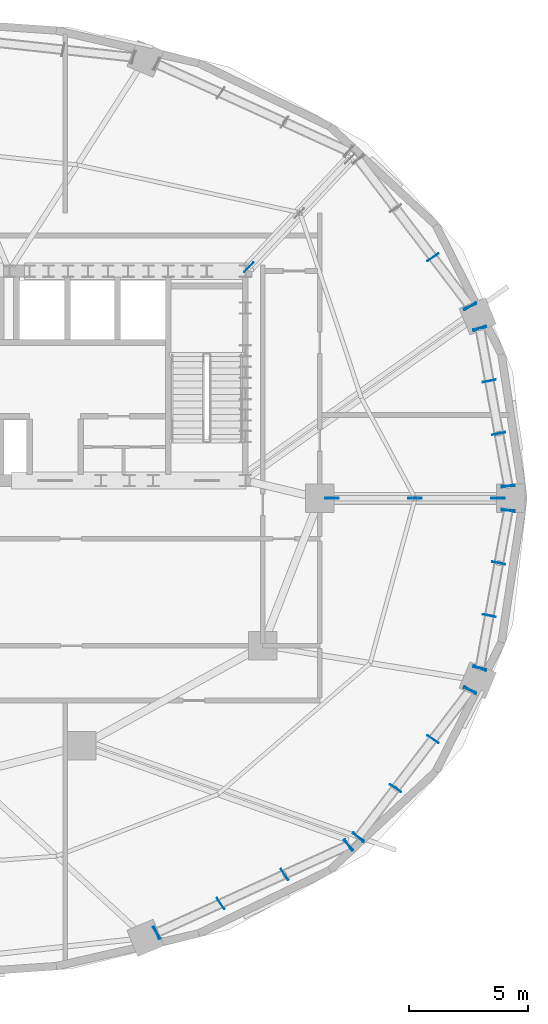
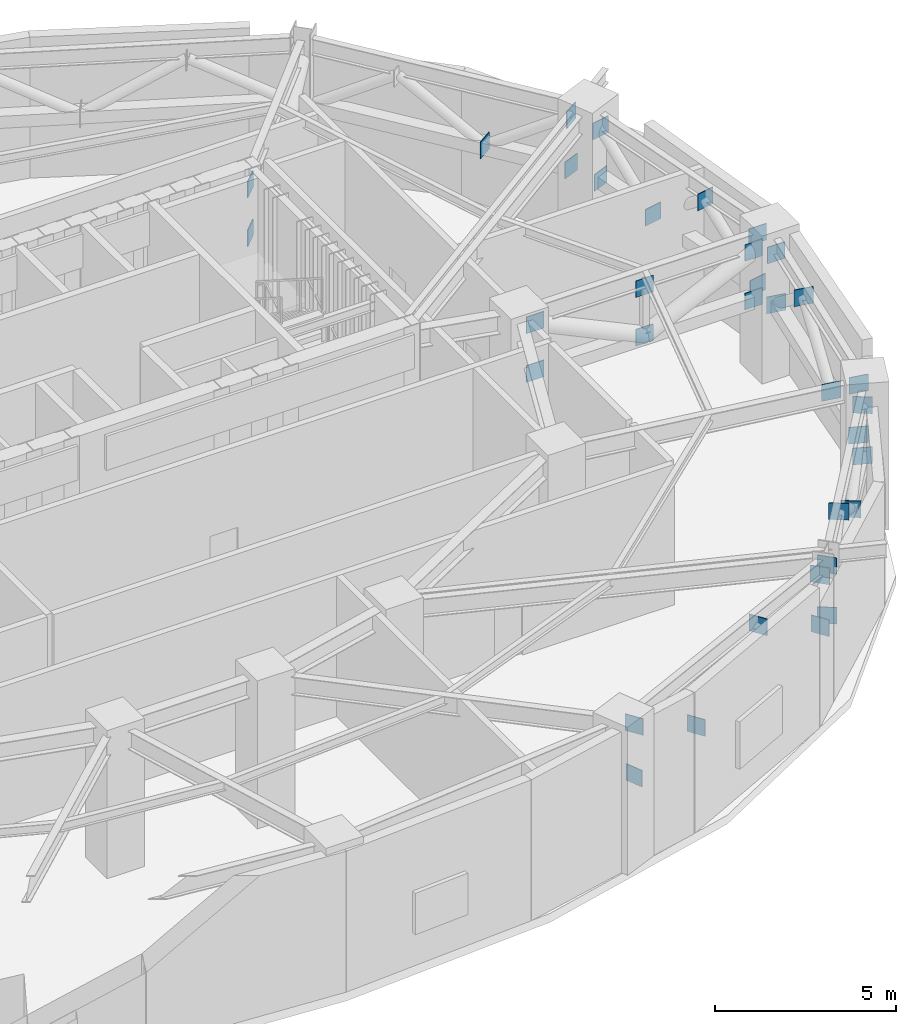
# One storey, part 9 of 17: 35 plates.
"""IFC4 building model written with IfcOpenShell, lengths in metres."""

from ifc_helpers import new_model, si_unit, direction, frame, origin, origin_2d, place, context, subcontext, project, spatial, rectangle, extrude, material, layer, layer_set, type_object, element, save


model = new_model("IFC4")

# Units and contexts
model_context = context("Model", 3, precision=1e-05, world=origin(), true_north=direction((0.0, 1.0)))
body_context = subcontext(model_context, "Body", "Model", "MODEL_VIEW")
ifc_project = project(units=[si_unit("LENGTHUNIT", "METRE"), si_unit("AREAUNIT", "SQUARE_METRE"), si_unit("VOLUMEUNIT", "CUBIC_METRE"), si_unit("PLANEANGLEUNIT", "RADIAN"), si_unit("MASSUNIT", "GRAM", prefix="KILO")], contexts=[model_context])

# Site, building, storey
site_placement = place(None, origin())
site = spatial("IfcSite", under=ifc_project, at=site_placement, CompositionType="ELEMENT")
building_placement = place(site_placement, origin())
building = spatial("IfcBuilding", under=site, at=building_placement, Name="Haldorwick Loom Tower", CompositionType="ELEMENT")
storey_placement = place(building_placement, frame((0.0, 0.0, 149.449951171875)))
storey = spatial("IfcBuildingStorey", under=building, at=storey_placement, Name="L40", CompositionType="ELEMENT", Elevation=149.449951171875)

# Plates
ifc_material = material(Name="Steel CSA G40.21 350W", Category="steel")
ifc_layer = layer(ifc_material, 0.028076171875, Name="Steel CSA G40.21 350W", Category="steel")
ifc_layer_set = layer_set([ifc_layer], Name="Steel CSA G40.21 350W")
plate_type = type_object("IfcPlateType", Name="STR-PLT-GUS28", PredefinedType="SHEET", material=ifc_layer_set)
for number, where, z_axis, x_axis, name in (
    (1, (61.124755859375, 26.51171875, 2.219970703125), (0.0, 0.0, 1.0), (0.980785280403, 0.195090322016, 0.0), "L40 Truss Node Gusset Plate PLT-L40-BGUS-00-0A"),
    (2, (60.725830078125, 28.7216796875, 3.93603515625), (0.0, 0.0, 1.0), (0.980785280403, 0.195090322016, 0.0), "L40 Truss Node Gusset Plate PLT-L40-BGUS-00-0B"),
    (3, (60.3271484375, 30.931884765625, 2.219970703125), (0.0, 0.0, 1.0), (0.980785280403, 0.195090322016, 0.0), "L40 Truss Node Gusset Plate PLT-L40-BGUS-00-1B"),
    (4, (59.928466796875, 33.14208984375, 3.93603515625), (0.0, 0.0, 1.0), (0.980785280403, 0.195090322016, 0.0), "L40 Truss Node Gusset Plate PLT-L40-BGUS-00-2B"),
    (5, (61.124755859375, 26.51171875, 3.93603515625), (0.0, 0.0, 1.0), (1.0, 0.0, 0.0), "L40 Truss Node Gusset Plate PLT-L40-BGUS-00B"),
    (6, (59.928466796875, 33.14208984375, 2.219970703125), (0.0, 0.0, 1.0), (0.923879532511, 0.382683432365, 0.0), "L40 Truss Node Gusset Plate PLT-L40-BGUS-00C"),
    (7, (59.521240234375, 34.067626953125, 3.93603515625), (0.0, 0.0, 1.0), (0.831469612303, 0.55557023302, 0.0), "L40 Truss Node Gusset Plate PLT-L40-BGUS-01-0A"),
    (8, (57.954833984375, 36.126708984375, 2.219970703125), (0.0, 0.0, 1.0), (0.831469612303, 0.55557023302, 0.0), "L40 Truss Node Gusset Plate PLT-L40-BGUS-01-0B"),
    (9, (59.521240234375, 34.067626953125, 2.219970703125), (0.0, 0.0, 1.0), (0.923879532511, 0.382683432365, 0.0), "L40 Truss Node Gusset Plate PLT-L40-BGUS-01A"),
    (10, (46.34619140625, 7.738525390625, 3.93603515625), (0.0, 0.0, 1.0), (0.55557023302, -0.831469612303, 0.0), "L40 Truss Node Gusset Plate PLT-L40-BGUS-13-0A"),
    (11, (49.03271484375, 8.96630859375, 2.219970703125), (0.0, 0.0, 1.0), (0.55557023302, -0.831469612303, 0.0), "L40 Truss Node Gusset Plate PLT-L40-BGUS-13-0B"),
    (12, (51.718994140625, 10.19384765625, 3.93603515625), (0.0, 0.0, 1.0), (0.55557023302, -0.831469612303, 0.0), "L40 Truss Node Gusset Plate PLT-L40-BGUS-13-1B"),
    (13, (54.405517578125, 11.42138671875, 2.219970703125), (0.0, 0.0, 1.0), (0.55557023302, -0.831469612303, 0.0), "L40 Truss Node Gusset Plate PLT-L40-BGUS-13-2B"),
    (14, (46.34619140625, 7.738525390625, 2.219970703125), (0.0, 0.0, 1.0), (0.382683432365, -0.923879532511, 0.0), "L40 Truss Node Gusset Plate PLT-L40-BGUS-13A"),
    (15, (54.405517578125, 11.42138671875, 3.93603515625), (0.0, 0.0, 1.0), (0.707106781187, -0.707106781187, 0.0), "L40 Truss Node Gusset Plate PLT-L40-BGUS-13D"),
    (16, (54.822021484375, 11.754638671875, 2.219970703125), (0.0, 0.0, 1.0), (0.831469612303, -0.55557023302, 0.0), "L40 Truss Node Gusset Plate PLT-L40-BGUS-14-0A"),
    (17, (56.388427734375, 13.81396484375, 3.93603515625), (0.0, 0.0, 1.0), (0.831469612303, -0.55557023302, 0.0), "L40 Truss Node Gusset Plate PLT-L40-BGUS-14-0B"),
    (18, (57.954833984375, 15.873291015625, 2.219970703125), (0.0, 0.0, 1.0), (0.831469612303, -0.55557023302, 0.0), "L40 Truss Node Gusset Plate PLT-L40-BGUS-14-1B"),
    (19, (59.521240234375, 17.932373046875, 3.93603515625), (0.0, 0.0, 1.0), (0.831469612303, -0.55557023302, 0.0), "L40 Truss Node Gusset Plate PLT-L40-BGUS-14-2B"),
    (20, (54.822021484375, 11.754638671875, 3.93603515625), (0.0, 0.0, 1.0), (0.707106781187, -0.707106781187, 0.0), "L40 Truss Node Gusset Plate PLT-L40-BGUS-14B"),
    (21, (59.521240234375, 17.932373046875, 2.219970703125), (0.0, 0.0, 1.0), (0.923879532511, -0.382683432365, 0.0), "L40 Truss Node Gusset Plate PLT-L40-BGUS-14C"),
    (22, (59.928466796875, 18.85791015625, 3.93603515625), (0.0, 0.0, 1.0), (-0.980785280403, 0.195090322016, 0.0), "L40 Truss Node Gusset Plate PLT-L40-BGUS-15-0A"),
    (23, (60.3271484375, 21.068115234375, 2.219970703125), (0.0, 0.0, 1.0), (-0.980785280403, 0.195090322016, 0.0), "L40 Truss Node Gusset Plate PLT-L40-BGUS-15-0B"),
    (24, (60.725830078125, 23.2783203125, 3.93603515625), (0.0, 0.0, 1.0), (-0.980785280403, 0.195090322016, 0.0), "L40 Truss Node Gusset Plate PLT-L40-BGUS-15-1B"),
    (25, (61.124755859375, 25.48828125, 2.219970703125), (0.0, 0.0, 1.0), (-0.980785280403, 0.195090322016, 0.0), "L40 Truss Node Gusset Plate PLT-L40-BGUS-15-2B"),
    (26, (59.928466796875, 18.85791015625, 2.219970703125), (0.0, 0.0, 1.0), (0.923879532511, -0.382683432365, 0.0), "L40 Truss Node Gusset Plate PLT-L40-BGUS-15A"),
    (27, (61.124755859375, 25.48828125, 3.93603515625), (0.0, 0.0, 1.0), (1.0, 0.0, 0.0), "L40 Truss Node Gusset Plate PLT-L40-BGUS-15D"),
    (28, (53.719970703125, 26.0, 2.219970703125), (0.0, 0.0, 1.0), (1.0, 0.0, 0.0), "L40 Truss Node Gusset Plate PLT-L40-OT-E-CB0"),
    (29, (53.719970703125, 26.0, 3.863037109375), (0.0, 0.0, 1.0), (1.0, 0.0, 0.0), "L40 Truss Node Gusset Plate PLT-L40-OT-E-CT0"),
    (30, (57.20849609375, 26.0, 2.219970703125), (0.0, 0.0, 1.0), (1.0, 0.0, 0.0), "L40 Truss Node Gusset Plate PLT-L40-OT-E-MB0"),
    (31, (57.20849609375, 26.0, 3.863037109375), (0.0, 0.0, 1.0), (1.0, 0.0, 0.0), "L40 Truss Node Gusset Plate PLT-L40-OT-E-MT0"),
    (32, (60.697021484375, 26.0, 2.219970703125), (0.0, 0.0, 1.0), (1.0, 0.0, 0.0), "L40 Truss Node Gusset Plate PLT-L40-OT-E-PB0"),
    (33, (60.697021484375, 26.0, 3.863037109375), (0.0, 0.0, 1.0), (1.0, 0.0, 0.0), "L40 Truss Node Gusset Plate PLT-L40-OT-E-PT0"),
    (34, (50.223388671875, 35.714599609375, 2.219970703125), (0.0, 0.0, 1.0), (0.707106781187, 0.707106781187, 0.0), "L40 Truss Node Gusset Plate PLT-L40-OT-NE-CB0"),
    (35, (50.223388671875, 35.714599609375, 3.863037109375), (0.0, 0.0, 1.0), (0.707106781187, 0.707106781187, 0.0), "L40 Truss Node Gusset Plate PLT-L40-OT-NE-CT0"),
):
    element("IfcPlate", number, at=place(storey_placement, frame(where, z_axis=z_axis, x_axis=x_axis)), inside=storey, type_object=plate_type, Name=name, PredefinedType="SHEET", context=body_context, shape_type="SweptSolid", body=[
        extrude(rectangle(XDim=0.56005859375, YDim=0.028076171875, at=origin_2d()), origin(), (0.0, 0.0, 1.0), 0.56005859375),
    ])

save(model, "model.ifc")
